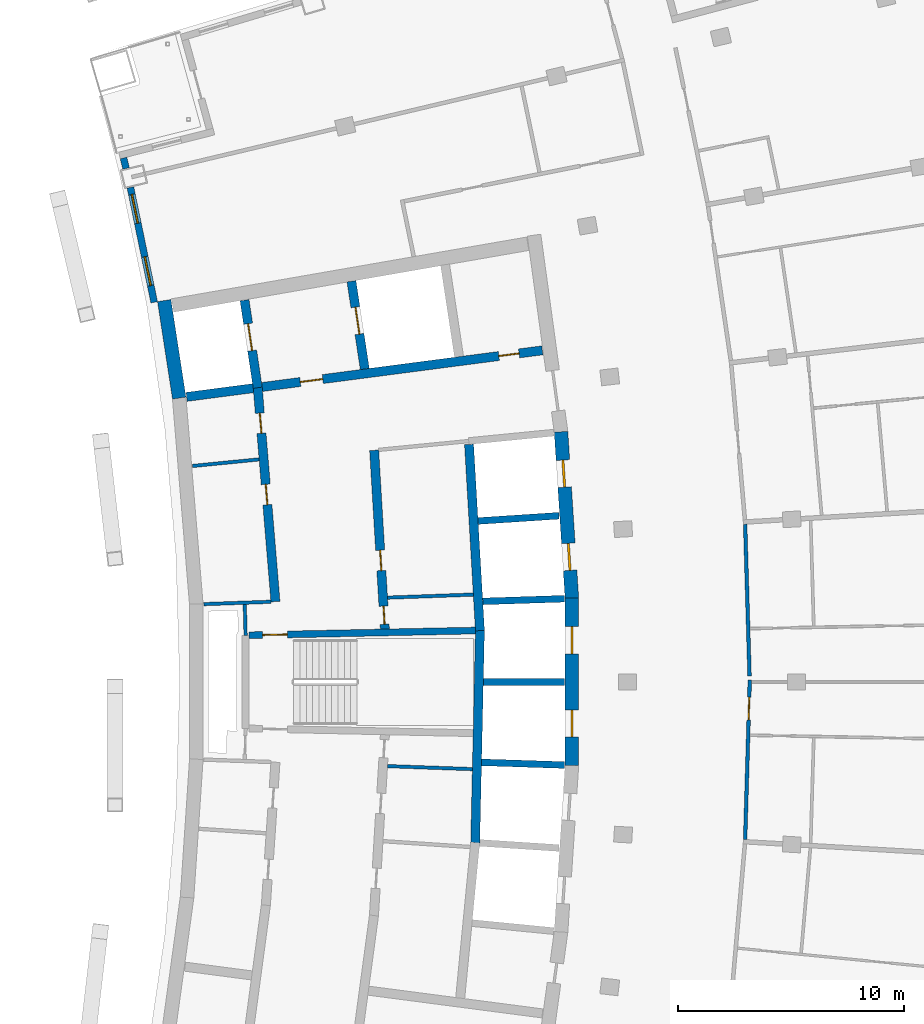
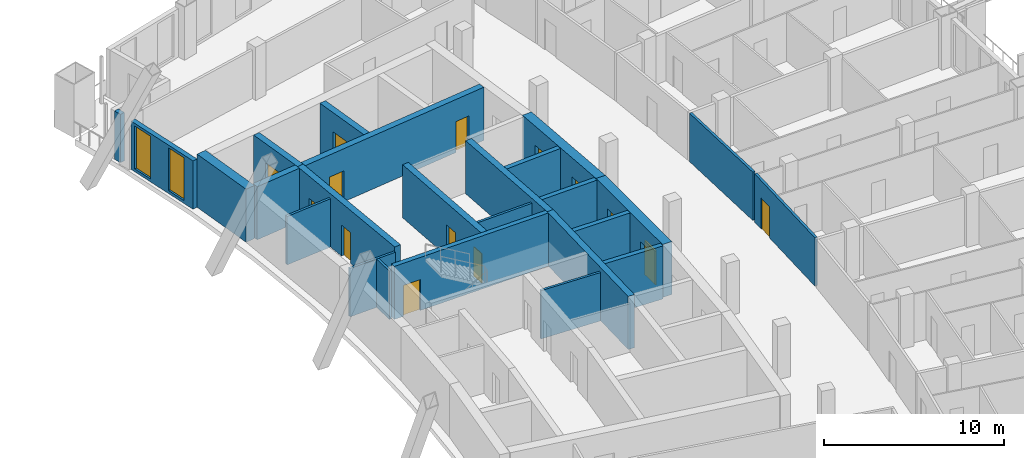
# One storey, part 12 of 19: 25 walls, 14 doors, 2 windows, 16 openings.
"""IFC4 building model written with IfcOpenShell, lengths in metres."""

from ifc_helpers import new_model, si_unit, direction, frame, frame_2d, origin, place, context, subcontext, project, spatial, rectangle, extrude, material, layer, layer_set, type_object, element, fill, save


model = new_model("IFC4")

# Units and contexts
model_context = context("Model", 3, precision=1e-05, world=origin(), true_north=direction((0.0, 1.0)))
body_context = subcontext(model_context, "Body", "Model", "MODEL_VIEW")
ifc_project = project(units=[si_unit("LENGTHUNIT", "METRE"), si_unit("AREAUNIT", "SQUARE_METRE"), si_unit("VOLUMEUNIT", "CUBIC_METRE"), si_unit("PLANEANGLEUNIT", "RADIAN"), si_unit("MASSUNIT", "GRAM", prefix="KILO")], contexts=[model_context])

# Site, building, storey
site_placement = place(None, origin())
site = spatial("IfcSite", under=ifc_project, at=site_placement, CompositionType="ELEMENT")
building_placement = place(site_placement, origin())
building = spatial("IfcBuilding", under=site, at=building_placement, Name="Alderwake Tower", CompositionType="ELEMENT")
storey_placement = place(building_placement, frame((0.0, 0.0, 200.0)))
storey = spatial("IfcBuildingStorey", under=building, at=storey_placement, Name="L49", CompositionType="ELEMENT", Elevation=200.0)

# Walls
ifc_material_1 = material(Name="Gypsum shaft wall system, rated")
ifc_layer_1 = layer(ifc_material_1, 0.14990234375)
ifc_layer_set_1 = layer_set([ifc_layer_1], Name="Core riser partition 150")
wall_type_1 = type_object("IfcWallType", Name="Core riser partition 150", PredefinedType="PARTITIONING", material=ifc_layer_set_1)
wall_1_placement = place(storey_placement, frame((25.1904296875, 57.276611328125, 0.0), z_axis=(0.0, 0.0, 1.0), x_axis=(0.99937350076, -0.035392173974, 0.0)))
element("IfcWall", 1, at=wall_1_placement, inside=storey, type_object=wall_type_1, Name="CW/L49/PR-37_+86", PredefinedType="PARTITIONING", context=body_context, shape_type="SweptSolid", body=[
    extrude(rectangle(XDim=3.752685546875, YDim=0.14990234375, at=frame_2d((1.87646484375, 0.0))), origin(), (0.0, 0.0, 1.0), 3.280029296875),
])
wall_2_placement = place(storey_placement, frame((25.191162109375, 64.723388671875, 0.0), z_axis=(0.0, 0.0, 1.0), x_axis=(0.999373627871, 0.035388584556, 0.0)))
element("IfcWall", 2, at=wall_2_placement, inside=storey, type_object=wall_type_1, Name="CW/L49/PR+37_+86", PredefinedType="PARTITIONING", context=body_context, shape_type="SweptSolid", body=[
    extrude(rectangle(XDim=3.79443359375, YDim=0.14990234375, at=frame_2d((1.897216796875, 0.0))), origin(), (0.0, 0.0, 1.0), 3.280029296875),
])
ifc_material_2 = material(Name="Gypsum shaft wall system, rated")
ifc_layer_2 = layer(ifc_material_2, 0.14990234375)
ifc_layer_set_2 = layer_set([ifc_layer_2], Name="Core room partition 150")
wall_type_2 = type_object("IfcWallType", Name="Core room partition 150", PredefinedType="PARTITIONING", material=ifc_layer_set_2)
wall_3_placement = place(storey_placement, frame((18.918701171875, 63.05517578125, 0.0), z_axis=(0.0, 0.0, 1.0), x_axis=(-0.027791791559, 0.99961373356, 0.0)))
element("IfcWall", 3, at=wall_3_placement, inside=storey, type_object=wall_type_2, Name="CW/L49/PA+24_+22", PredefinedType="PARTITIONING", context=body_context, shape_type="SweptSolid", body=[
    extrude(rectangle(XDim=1.370361328125, YDim=0.14990234375, at=frame_2d((0.68505859375, 0.0))), origin(), (0.0, 0.0, 1.0), 3.280029296875),
])
wall_4_placement = place(storey_placement, frame((17.0693359375, 64.43603515625, 0.0), z_axis=(0.0, 0.0, 1.0), x_axis=(0.999374945052, 0.03535136775, 0.0)))
element("IfcWall", 4, at=wall_4_placement, inside=storey, type_object=wall_type_2, Name="CW/L49/PR+37_+0", PredefinedType="PARTITIONING", context=body_context, shape_type="SweptSolid", body=[
    extrude(rectangle(XDim=2.9697265625, YDim=0.14990234375, at=frame_2d((1.48486328125, 0.0))), origin(), (0.0, 0.0, 1.0), 3.280029296875),
])
wall_5_placement = place(storey_placement, frame((16.563232421875, 70.5419921875, 0.0), z_axis=(0.0, 0.0, 1.0), x_axis=(0.995152224128, 0.098346585166, 0.0)))
element("IfcWall", 5, at=wall_5_placement, inside=storey, type_object=wall_type_2, Name="CW/L49/PR+103_+0", PredefinedType="PARTITIONING", context=body_context, shape_type="SweptSolid", body=[
    extrude(rectangle(XDim=2.966552734375, YDim=0.14990234375, at=frame_2d((1.4833984375, 0.0))), origin(), (0.0, 0.0, 1.0), 3.280029296875),
])
ifc_material_3 = material(Name="Concrete C70/85", Category="concrete")
ifc_layer_3 = layer(ifc_material_3, 0.60009765625)
ifc_layer_set_3 = layer_set([ifc_layer_3], Name="Core wall outer 600 C70-85")
wall_type_3 = type_object("IfcWallType", Name="Core wall outer 600 C70-85", PredefinedType="SHEAR", material=ifc_layer_set_3)
wall_6_placement = place(storey_placement, frame((15.984130859375, 73.54296875, 0.0), z_axis=(0.0, 0.0, 1.0), x_axis=(-0.151922578304, 0.988392396876, 0.0)))
element("IfcWall", 6, at=wall_6_placement, inside=storey, type_object=wall_type_3, Name="Core wall CW.034", PredefinedType="SHEAR", context=body_context, shape_type="SweptSolid", body=[
    extrude(rectangle(XDim=4.361328125, YDim=0.60009765625, at=frame_2d((2.1806640625, 0.0))), origin(), (0.0, 0.0, 1.0), 3.60009765625),
])

# Wall, openings, doors
wall_7_placement = place(storey_placement, frame((33.340087890625, 57.30322265625, 0.0), z_axis=(0.0, 0.0, 1.0), x_axis=(0.0, 1.0, 0.0)))
wall_7 = element("IfcWall", 7, at=wall_7_placement, inside=storey, type_object=wall_type_3, Name="Core wall CW.018", PredefinedType="SHEAR", context=body_context, shape_type="SweptSolid", body=[
    extrude(rectangle(XDim=7.3935546875, YDim=0.60009765625, at=frame_2d((3.69677734375, 0.0))), origin(), (0.0, 0.0, 1.0), 3.60009765625),
])
opening_1_placement = place(wall_7_placement, frame((1.25341796875, 0.0, 0.0)))
opening_1 = element("IfcOpeningElement", 8, at=opening_1_placement, cuts=wall_7, Name="Opening LD-HP3", PredefinedType="OPENING", context=body_context, shape_type="SweptSolid", body=[
    extrude(rectangle(XDim=1.199951171875, YDim=2.300048828125, at=frame_2d((0.60009765625, 1.14990234375))), frame((0.0, 0.31005859375, 0.0), z_axis=(0.0, -1.0, 0.0), x_axis=(1.0, 0.0, 0.0)), (0.0, 0.0, 1.0), 0.6201171875),
])
opening_2_placement = place(wall_7_placement, frame((4.940185546875, 0.0, 0.0)))
opening_2 = element("IfcOpeningElement", 9, at=opening_2_placement, cuts=wall_7, Name="Opening LD-HP4", PredefinedType="OPENING", context=body_context, shape_type="SweptSolid", body=[
    extrude(rectangle(XDim=1.199951171875, YDim=2.300048828125, at=frame_2d((0.60009765625, 1.14990234375))), frame((0.0, 0.31005859375, 0.0), z_axis=(0.0, -1.0, 0.0), x_axis=(1.0, 0.0, 0.0)), (0.0, 0.0, 1.0), 0.6201171875),
])
ifc_material_4 = material(Name="Stainless steel sliding leaf", Category="steel")
door_type_1 = type_object("IfcDoorType", Name="Lift landing door 1200", OperationType="SLIDING_TO_LEFT", PredefinedType="DOOR", material=ifc_material_4)
door_1_placement = place(opening_1_placement, origin())
door_1 = element("IfcDoor", 10, at=door_1_placement, inside=storey, type_object=door_type_1, Name="Lift landing door HP3", OperationType="SLIDING_TO_LEFT", OverallHeight=2.300048828125, OverallWidth=1.199951171875, PredefinedType="DOOR", context=body_context, shape_type="SweptSolid", body=[
    extrude(rectangle(XDim=1.199951171875, YDim=2.300048828125, at=frame_2d((0.60009765625, 1.14990234375))), frame((0.0, 0.050048828125, 0.0), z_axis=(0.0, -1.0, 0.0), x_axis=(1.0, 0.0, 0.0)), (0.0, 0.0, 1.0), 0.10009765625),
])
fill(opening_1, door_1)
door_2_placement = place(opening_2_placement, origin())
door_2 = element("IfcDoor", 11, at=door_2_placement, inside=storey, type_object=door_type_1, Name="Lift landing door HP4", OperationType="SLIDING_TO_LEFT", OverallHeight=2.300048828125, OverallWidth=1.199951171875, PredefinedType="DOOR", context=body_context, shape_type="SweptSolid", body=[
    extrude(rectangle(XDim=1.199951171875, YDim=2.300048828125, at=frame_2d((0.60009765625, 1.14990234375))), frame((0.0, 0.050048828125, 0.0), z_axis=(0.0, -1.0, 0.0), x_axis=(1.0, 0.0, 0.0)), (0.0, 0.0, 1.0), 0.10009765625),
])
fill(opening_2, door_2)

wall_8_placement = place(storey_placement, frame((33.3408203125, 64.67626953125, 0.0), z_axis=(0.0, 0.0, 1.0), x_axis=(-0.065013379938, 0.997884392317, 0.0)))
wall_8 = element("IfcWall", 12, at=wall_8_placement, inside=storey, type_object=wall_type_3, Name="Core wall CW.015", PredefinedType="SHEAR", context=body_context, shape_type="SweptSolid", body=[
    extrude(rectangle(XDim=7.39404296875, YDim=0.60009765625, at=frame_2d((3.697021484375, 0.0))), origin(), (0.0, 0.0, 1.0), 3.60009765625),
])
opening_3_placement = place(wall_8_placement, frame((1.253173828125, 0.0, 0.0)))
opening_3 = element("IfcOpeningElement", 13, at=opening_3_placement, cuts=wall_8, Name="Opening LD-HP5", PredefinedType="OPENING", context=body_context, shape_type="SweptSolid", body=[
    extrude(rectangle(XDim=1.199951171875, YDim=2.300048828125, at=frame_2d((0.60009765625, 1.14990234375))), frame((0.0, 0.31005859375, 0.0), z_axis=(0.0, -1.0, 0.0), x_axis=(1.0, 0.0, 0.0)), (0.0, 0.0, 1.0), 0.6201171875),
])
opening_4_placement = place(wall_8_placement, frame((4.940185546875, 0.0, 0.0)))
opening_4 = element("IfcOpeningElement", 14, at=opening_4_placement, cuts=wall_8, Name="Opening LD-HP6", PredefinedType="OPENING", context=body_context, shape_type="SweptSolid", body=[
    extrude(rectangle(XDim=1.199951171875, YDim=2.300048828125, at=frame_2d((0.60009765625, 1.14990234375))), frame((0.0, 0.31005859375, 0.0), z_axis=(0.0, -1.0, 0.0), x_axis=(1.0, 0.0, 0.0)), (0.0, 0.0, 1.0), 0.6201171875),
])
door_3_placement = place(opening_3_placement, origin())
door_3 = element("IfcDoor", 15, at=door_3_placement, inside=storey, type_object=door_type_1, Name="Lift landing door HP5", OperationType="SLIDING_TO_LEFT", OverallHeight=2.300048828125, OverallWidth=1.199951171875, PredefinedType="DOOR", context=body_context, shape_type="SweptSolid", body=[
    extrude(rectangle(XDim=1.199951171875, YDim=2.300048828125, at=frame_2d((0.60009765625, 1.14990234375))), frame((0.0, 0.050048828125, 0.0), z_axis=(0.0, -1.0, 0.0), x_axis=(1.0, 0.0, 0.0)), (0.0, 0.0, 1.0), 0.10009765625),
])
fill(opening_3, door_3)
door_4_placement = place(opening_4_placement, origin())
door_4 = element("IfcDoor", 16, at=door_4_placement, inside=storey, type_object=door_type_1, Name="Lift landing door HP6", OperationType="SLIDING_TO_LEFT", OverallHeight=2.300048828125, OverallWidth=1.199951171875, PredefinedType="DOOR", context=body_context, shape_type="SweptSolid", body=[
    extrude(rectangle(XDim=1.199951171875, YDim=2.300048828125, at=frame_2d((0.60009765625, 1.14990234375))), frame((0.0, 0.050048828125, 0.0), z_axis=(0.0, -1.0, 0.0), x_axis=(1.0, 0.0, 0.0)), (0.0, 0.0, 1.0), 0.10009765625),
])
fill(opening_4, door_4)

# Walls
ifc_material_5 = material(Name="Concrete C70/85", Category="concrete")
ifc_layer_4 = layer(ifc_material_5, 0.300048828125)
ifc_layer_set_4 = layer_set([ifc_layer_4], Name="Core wall shaft 300 C70-85")
wall_type_4 = type_object("IfcWallType", Name="Core wall shaft 300 C70-85", PredefinedType="SHEAR", material=ifc_layer_set_4)
wall_9_placement = place(storey_placement, frame((29.347412109375, 57.443603515625, 0.0), z_axis=(0.0, 0.0, 1.0), x_axis=(0.99946918462, -0.032578351638, 0.0)))
element("IfcWall", 17, at=wall_9_placement, inside=storey, type_object=wall_type_4, Name="Core wall CW.075", PredefinedType="SHEAR", context=body_context, shape_type="SweptSolid", body=[
    extrude(rectangle(XDim=3.66455078125, YDim=0.300048828125, at=frame_2d((1.832275390625, 0.0))), origin(), (0.0, 0.0, 1.0), 3.60009765625),
])
wall_10_placement = place(storey_placement, frame((29.426025390625, 61.0, 0.0), z_axis=(0.0, 0.0, 1.0), x_axis=(1.0, 0.0, 0.0)))
element("IfcWall", 18, at=wall_10_placement, inside=storey, type_object=wall_type_4, Name="Core wall CW.048", PredefinedType="SHEAR", context=body_context, shape_type="SweptSolid", body=[
    extrude(rectangle(XDim=3.583984375, YDim=0.300048828125, at=frame_2d((1.7919921875, 0.0))), origin(), (0.0, 0.0, 1.0), 3.60009765625),
])
wall_11_placement = place(storey_placement, frame((29.401611328125, 64.558349609375, 0.0), z_axis=(0.0, 0.0, 1.0), x_axis=(0.999470865009, 0.032526758191, 0.0)))
element("IfcWall", 19, at=wall_11_placement, inside=storey, type_object=wall_type_4, Name="Core wall CW.058", PredefinedType="SHEAR", context=body_context, shape_type="SweptSolid", body=[
    extrude(rectangle(XDim=3.6103515625, YDim=0.300048828125, at=frame_2d((1.80517578125, 0.0))), origin(), (0.0, 0.0, 1.0), 3.60009765625),
])
wall_12_placement = place(storey_placement, frame((29.193603515625, 68.110595703125, 0.0), z_axis=(0.0, 0.0, 1.0), x_axis=(0.997887597979, 0.064964157805, 0.0)))
element("IfcWall", 20, at=wall_12_placement, inside=storey, type_object=wall_type_4, Name="Core wall CW.061", PredefinedType="SHEAR", context=body_context, shape_type="SweptSolid", body=[
    extrude(rectangle(XDim=3.585205078125, YDim=0.300048828125, at=frame_2d((1.79248046875, 0.0))), origin(), (0.0, 0.0, 1.0), 3.60009765625),
])

# Wall, openings, doors
ifc_material_6 = material(Name="Concrete C70/85", Category="concrete")
ifc_layer_5 = layer(ifc_material_6, 0.39990234375)
ifc_layer_set_5 = layer_set([ifc_layer_5], Name="Core wall spine 400 C70-85")
wall_type_5 = type_object("IfcWallType", Name="Core wall spine 400 C70-85", PredefinedType="SHEAR", material=ifc_layer_set_5)
wall_13_placement = place(storey_placement, frame((19.452392578125, 74.014892578125, 0.0), z_axis=(0.0, 0.0, 1.0), x_axis=(0.082628585297, -0.996580411654, 0.0)))
wall_13 = element("IfcWall", 21, at=wall_13_placement, inside=storey, type_object=wall_type_5, Name="Core wall CW.031", PredefinedType="SHEAR", context=body_context, shape_type="SweptSolid", body=[
    extrude(rectangle(XDim=9.499267578125, YDim=0.39990234375, at=frame_2d((4.74951171875, 0.0))), origin(), (0.0, 0.0, 1.0), 3.60009765625),
])
opening_5_placement = place(wall_13_placement, frame((4.30322265625, 0.0, 0.0)))
opening_5 = element("IfcOpeningElement", 22, at=opening_5_placement, cuts=wall_13, Name="Opening C052", PredefinedType="OPENING", context=body_context, shape_type="SweptSolid", body=[
    extrude(rectangle(XDim=0.89990234375, YDim=2.10009765625, at=frame_2d((0.449951171875, 1.050048828125))), frame((0.0, 0.2099609375, 0.0), z_axis=(0.0, -1.0, 0.0), x_axis=(1.0, 0.0, 0.0)), (0.0, 0.0, 1.0), 0.419921875),
])
opening_6_placement = place(wall_13_placement, frame((1.138671875, 0.0, 0.0)))
opening_6 = element("IfcOpeningElement", 23, at=opening_6_placement, cuts=wall_13, Name="Opening C056", PredefinedType="OPENING", context=body_context, shape_type="SweptSolid", body=[
    extrude(rectangle(XDim=0.89990234375, YDim=2.10009765625, at=frame_2d((0.449951171875, 1.050048828125))), frame((0.0, 0.2099609375, 0.0), z_axis=(0.0, -1.0, 0.0), x_axis=(1.0, 0.0, 0.0)), (0.0, 0.0, 1.0), 0.419921875),
])
ifc_material_7 = material(Name="Painted steel leaf", Category="steel")
door_type_2 = type_object("IfcDoorType", Name="Core room door 900", OperationType="SINGLE_SWING_LEFT", PredefinedType="DOOR", material=ifc_material_7)
door_5_placement = place(opening_5_placement, origin())
door_5 = element("IfcDoor", 24, at=door_5_placement, inside=storey, type_object=door_type_2, Name="Room door", OperationType="SINGLE_SWING_LEFT", OverallHeight=2.10009765625, OverallWidth=0.89990234375, PredefinedType="DOOR", context=body_context, shape_type="SweptSolid", body=[
    extrude(rectangle(XDim=0.89990234375, YDim=2.10009765625, at=frame_2d((0.449951171875, 1.050048828125))), frame((0.0, 0.02490234375, 0.0), z_axis=(0.0, -1.0, 0.0), x_axis=(1.0, 0.0, 0.0)), (0.0, 0.0, 1.0), 0.050048828125),
])
fill(opening_5, door_5)
door_6_placement = place(opening_6_placement, origin())
door_6 = element("IfcDoor", 25, at=door_6_placement, inside=storey, type_object=door_type_2, Name="Room door", OperationType="SINGLE_SWING_RIGHT", OverallHeight=2.10009765625, OverallWidth=0.89990234375, PredefinedType="DOOR", context=body_context, shape_type="SweptSolid", body=[
    extrude(rectangle(XDim=0.89990234375, YDim=2.10009765625, at=frame_2d((0.449951171875, 1.050048828125))), frame((0.0, 0.02490234375, 0.0), z_axis=(0.0, -1.0, 0.0), x_axis=(1.0, 0.0, 0.0)), (0.0, 0.0, 1.0), 0.050048828125),
])
fill(opening_6, door_6)

# Wall, opening, door
wall_14_placement = place(storey_placement, frame((19.4541015625, 74.00048828125, 0.0), z_axis=(0.0, 0.0, 1.0), x_axis=(-0.148977743105, 0.98884054936, 0.0)))
wall_14 = element("IfcWall", 26, at=wall_14_placement, inside=storey, type_object=wall_type_5, Name="Core wall CW.030", PredefinedType="SHEAR", context=body_context, shape_type="SweptSolid", body=[
    extrude(rectangle(XDim=3.9150390625, YDim=0.39990234375, at=frame_2d((1.95751953125, 0.0))), origin(), (0.0, 0.0, 1.0), 3.60009765625),
])
opening_7_placement = place(wall_14_placement, frame((1.6611328125, 0.0, 0.0)))
opening_7 = element("IfcOpeningElement", 27, at=opening_7_placement, cuts=wall_14, Name="Opening LD-FF1", PredefinedType="OPENING", context=body_context, shape_type="SweptSolid", body=[
    extrude(rectangle(XDim=1.199951171875, YDim=2.300048828125, at=frame_2d((0.60009765625, 1.14990234375))), frame((0.0, 0.2099609375, 0.0), z_axis=(0.0, -1.0, 0.0), x_axis=(1.0, 0.0, 0.0)), (0.0, 0.0, 1.0), 0.419921875),
])
door_7_placement = place(opening_7_placement, origin())
door_7 = element("IfcDoor", 28, at=door_7_placement, inside=storey, type_object=door_type_1, Name="Lift landing door FF1", OperationType="SLIDING_TO_LEFT", OverallHeight=2.300048828125, OverallWidth=1.199951171875, PredefinedType="DOOR", context=body_context, shape_type="SweptSolid", body=[
    extrude(rectangle(XDim=1.199951171875, YDim=2.300048828125, at=frame_2d((0.60009765625, 1.14990234375))), frame((0.0, 0.02490234375, 0.0), z_axis=(0.0, -1.0, 0.0), x_axis=(1.0, 0.0, 0.0)), (0.0, 0.0, 1.0), 0.050048828125),
])
fill(opening_7, door_7)

# Wall, openings, doors
wall_15_placement = place(storey_placement, frame((25.073974609375, 63.335693359375, 0.0), z_axis=(0.0, 0.0, 1.0), x_axis=(-0.059848641072, 0.998207463487, 0.0)))
wall_15 = element("IfcWall", 29, at=wall_15_placement, inside=storey, type_object=wall_type_5, Name="Core wall CW.045", PredefinedType="SHEAR", context=body_context, shape_type="SweptSolid", body=[
    extrude(rectangle(XDim=7.913818359375, YDim=0.39990234375, at=frame_2d((3.95703125, 0.0))), origin(), (0.0, 0.0, 1.0), 3.60009765625),
])
opening_8_placement = place(wall_15_placement, frame((0.216064453125, 0.0, 0.0)))
opening_8 = element("IfcOpeningElement", 30, at=opening_8_placement, cuts=wall_15, Name="Opening C005", PredefinedType="OPENING", context=body_context, shape_type="SweptSolid", body=[
    extrude(rectangle(XDim=0.800048828125, YDim=2.0, at=frame_2d((0.39990234375, 1.0))), frame((0.0, 0.2099609375, 0.0), z_axis=(0.0, -1.0, 0.0), x_axis=(1.0, 0.0, 0.0)), (0.0, 0.0, 1.0), 0.419921875),
])
opening_9_placement = place(wall_15_placement, frame((2.590087890625, 0.0, 0.0)))
opening_9 = element("IfcOpeningElement", 31, at=opening_9_placement, cuts=wall_15, Name="Opening C057", PredefinedType="OPENING", context=body_context, shape_type="SweptSolid", body=[
    extrude(rectangle(XDim=0.89990234375, YDim=2.10009765625, at=frame_2d((0.449951171875, 1.050048828125))), frame((0.0, 0.2099609375, 0.0), z_axis=(0.0, -1.0, 0.0), x_axis=(1.0, 0.0, 0.0)), (0.0, 0.0, 1.0), 0.419921875),
])
door_8_placement = place(opening_9_placement, origin())
door_8 = element("IfcDoor", 32, at=door_8_placement, inside=storey, type_object=door_type_2, Name="Room door", OperationType="SINGLE_SWING_LEFT", OverallHeight=2.10009765625, OverallWidth=0.89990234375, PredefinedType="DOOR", context=body_context, shape_type="SweptSolid", body=[
    extrude(rectangle(XDim=0.89990234375, YDim=2.10009765625, at=frame_2d((0.449951171875, 1.050048828125))), frame((0.0, 0.02490234375, 0.0), z_axis=(0.0, -1.0, 0.0), x_axis=(1.0, 0.0, 0.0)), (0.0, 0.0, 1.0), 0.050048828125),
])
fill(opening_9, door_8)
ifc_material_8 = material(Name="Painted steel leaf, rated", Category="steel")
door_type_3 = type_object("IfcDoorType", Name="Riser access door 800", OperationType="SINGLE_SWING_LEFT", PredefinedType="DOOR", material=ifc_material_8)
door_9_placement = place(opening_8_placement, origin())
door_9 = element("IfcDoor", 33, at=door_9_placement, inside=storey, type_object=door_type_3, Name="Riser access door", OperationType="SINGLE_SWING_LEFT", OverallHeight=2.0, OverallWidth=0.800048828125, PredefinedType="DOOR", context=body_context, shape_type="SweptSolid", body=[
    extrude(rectangle(XDim=0.800048828125, YDim=2.0, at=frame_2d((0.39990234375, 1.0))), frame((0.0, 0.02490234375, 0.0), z_axis=(0.0, -1.0, 0.0), x_axis=(1.0, 0.0, 0.0)), (0.0, 0.0, 1.0), 0.050048828125),
])
fill(opening_8, door_9)

# Wall, opening, door
wall_16_placement = place(storey_placement, frame((24.186279296875, 74.82861328125, 0.0), z_axis=(0.0, 0.0, 1.0), x_axis=(-0.150092938275, 0.988671891924, 0.0)))
wall_16 = element("IfcWall", 34, at=wall_16_placement, inside=storey, type_object=wall_type_5, Name="Core wall CW.044", PredefinedType="SHEAR", context=body_context, shape_type="SweptSolid", body=[
    extrude(rectangle(XDim=3.92333984375, YDim=0.39990234375, at=frame_2d((1.961669921875, 0.0))), origin(), (0.0, 0.0, 1.0), 3.60009765625),
])
opening_10_placement = place(wall_16_placement, frame((1.561767578125, 0.0, 0.0)))
opening_10 = element("IfcOpeningElement", 35, at=opening_10_placement, cuts=wall_16, Name="Opening LD-FF2", PredefinedType="OPENING", context=body_context, shape_type="SweptSolid", body=[
    extrude(rectangle(XDim=1.199951171875, YDim=2.300048828125, at=frame_2d((0.60009765625, 1.14990234375))), frame((0.0, 0.2099609375, 0.0), z_axis=(0.0, -1.0, 0.0), x_axis=(1.0, 0.0, 0.0)), (0.0, 0.0, 1.0), 0.419921875),
])
door_10_placement = place(opening_10_placement, origin())
door_10 = element("IfcDoor", 36, at=door_10_placement, inside=storey, type_object=door_type_1, Name="Lift landing door FF2", OperationType="SLIDING_TO_LEFT", OverallHeight=2.300048828125, OverallWidth=1.199951171875, PredefinedType="DOOR", context=body_context, shape_type="SweptSolid", body=[
    extrude(rectangle(XDim=1.199951171875, YDim=2.300048828125, at=frame_2d((0.60009765625, 1.14990234375))), frame((0.0, 0.02490234375, 0.0), z_axis=(0.0, -1.0, 0.0), x_axis=(1.0, 0.0, 0.0)), (0.0, 0.0, 1.0), 0.050048828125),
])
fill(opening_10, door_10)

# Walls
wall_17_placement = place(storey_placement, frame((29.06884765625, 53.8896484375, 0.0), z_axis=(0.0, 0.0, 1.0), x_axis=(0.022115722908, 0.99975541749, 0.0)))
element("IfcWall", 37, at=wall_17_placement, inside=storey, type_object=wall_type_5, Name="Core wall CW.008", PredefinedType="SHEAR", context=body_context, shape_type="SweptSolid", body=[
    extrude(rectangle(XDim=9.394287109375, YDim=0.39990234375, at=frame_2d((4.697265625, 0.0))), origin(), (0.0, 0.0, 1.0), 3.60009765625),
])
wall_18_placement = place(storey_placement, frame((29.27685546875, 63.2646484375, 0.0), z_axis=(0.0, 0.0, 1.0), x_axis=(-0.0584546922, 0.998290062537, 0.0)))
element("IfcWall", 38, at=wall_18_placement, inside=storey, type_object=wall_type_5, Name="Core wall CW.002", PredefinedType="SHEAR", context=body_context, shape_type="SweptSolid", body=[
    extrude(rectangle(XDim=8.24462890625, YDim=0.39990234375, at=frame_2d((4.122314453125, 0.0))), origin(), (0.0, 0.0, 1.0), 3.60009765625),
])
wall_19_placement = place(storey_placement, frame((16.31005859375, 73.5966796875, 0.0), z_axis=(0.0, 0.0, 1.0), x_axis=(0.99155863891, 0.12965903595, 0.0)))
element("IfcWall", 39, at=wall_19_placement, inside=storey, type_object=wall_type_5, Name="Core wall CW.051", PredefinedType="SHEAR", context=body_context, shape_type="SweptSolid", body=[
    extrude(rectangle(XDim=2.969482421875, YDim=0.39990234375, at=frame_2d((1.48486328125, 0.0))), origin(), (0.0, 0.0, 1.0), 3.60009765625),
])

# Wall, openings, doors
wall_20_placement = place(storey_placement, frame((32.032958984375, 75.653076171875, 0.0), z_axis=(0.0, 0.0, 1.0), x_axis=(-0.991554886316, -0.129687730428, 0.0)))
wall_20 = element("IfcWall", 40, at=wall_20_placement, inside=storey, type_object=wall_type_5, Name="Core wall CW.052", PredefinedType="SHEAR", context=body_context, shape_type="SweptSolid", body=[
    extrude(rectangle(XDim=12.48681640625, YDim=0.39990234375, at=frame_2d((6.243408203125, 0.0))), origin(), (0.0, 0.0, 1.0), 3.60009765625),
])
opening_11_placement = place(wall_20_placement, frame((9.787109375, 0.0, 0.0)))
opening_11 = element("IfcOpeningElement", 41, at=opening_11_placement, cuts=wall_20, Name="Opening C002", PredefinedType="OPENING", context=body_context, shape_type="SweptSolid", body=[
    extrude(rectangle(XDim=1.0, YDim=2.10009765625, at=frame_2d((0.5, 1.050048828125))), frame((0.0, 0.2099609375, 0.0), z_axis=(0.0, -1.0, 0.0), x_axis=(1.0, 0.0, 0.0)), (0.0, 0.0, 1.0), 0.419921875),
])
opening_12_placement = place(wall_20_placement, frame((1.037109375, 0.0, 0.0)))
opening_12 = element("IfcOpeningElement", 42, at=opening_12_placement, cuts=wall_20, Name="Opening C020", PredefinedType="OPENING", context=body_context, shape_type="SweptSolid", body=[
    extrude(rectangle(XDim=0.89990234375, YDim=2.10009765625, at=frame_2d((0.449951171875, 1.050048828125))), frame((0.0, 0.2099609375, 0.0), z_axis=(0.0, -1.0, 0.0), x_axis=(1.0, 0.0, 0.0)), (0.0, 0.0, 1.0), 0.419921875),
])
door_11_placement = place(opening_12_placement, origin())
door_11 = element("IfcDoor", 43, at=door_11_placement, inside=storey, type_object=door_type_2, Name="Room door", OperationType="SINGLE_SWING_LEFT", OverallHeight=2.10009765625, OverallWidth=0.89990234375, PredefinedType="DOOR", context=body_context, shape_type="SweptSolid", body=[
    extrude(rectangle(XDim=0.89990234375, YDim=2.10009765625, at=frame_2d((0.449951171875, 1.050048828125))), frame((0.0, 0.02490234375, 0.0), z_axis=(0.0, -1.0, 0.0), x_axis=(1.0, 0.0, 0.0)), (0.0, 0.0, 1.0), 0.050048828125),
])
fill(opening_12, door_11)
ifc_material_9 = material(Name="Steel-framed fire door leaf", Category="steel")
door_type_4 = type_object("IfcDoorType", Name="Firefighting lobby door 1000 fire-rated", OperationType="SINGLE_SWING_LEFT", PredefinedType="DOOR", material=ifc_material_9)
door_12_placement = place(opening_11_placement, origin())
door_12 = element("IfcDoor", 44, at=door_12_placement, inside=storey, type_object=door_type_4, Name="Firefighting lobby door", OperationType="SINGLE_SWING_RIGHT", OverallHeight=2.10009765625, OverallWidth=1.0, PredefinedType="DOOR", context=body_context, shape_type="SweptSolid", body=[
    extrude(rectangle(XDim=1.0, YDim=2.10009765625, at=frame_2d((0.5, 1.050048828125))), frame((0.0, 0.02490234375, 0.0), z_axis=(0.0, -1.0, 0.0), x_axis=(1.0, 0.0, 0.0)), (0.0, 0.0, 1.0), 0.050048828125),
])
fill(opening_11, door_12)

# Wall, opening, door
ifc_material_10 = material(Name="Concrete C70/85", Category="concrete")
ifc_layer_6 = layer(ifc_material_10, 0.300048828125)
ifc_layer_set_6 = layer_set([ifc_layer_6], Name="Core wall stair enclosure 300 C70-85")
wall_type_6 = type_object("IfcWallType", Name="Core wall stair enclosure 300 C70-85", PredefinedType="SHEAR", material=ifc_layer_set_6)
wall_21_placement = place(storey_placement, frame((19.068603515625, 63.060791015625, 0.0), z_axis=(0.0, 0.0, 1.0), x_axis=(0.999783553773, 0.02080494185, 0.0)))
wall_21 = element("IfcWall", 45, at=wall_21_placement, inside=storey, type_object=wall_type_6, Name="Core wall CW.057", PredefinedType="SHEAR", context=body_context, shape_type="SweptSolid", body=[
    extrude(rectangle(XDim=10.009765625, YDim=0.300048828125, at=frame_2d((5.0048828125, 0.0))), origin(), (0.0, 0.0, 1.0), 3.60009765625),
])
opening_13_placement = place(wall_21_placement, frame((0.60009765625, 0.0, 0.0)))
opening_13 = element("IfcOpeningElement", 46, at=opening_13_placement, cuts=wall_21, Name="Opening C064", PredefinedType="OPENING", context=body_context, shape_type="SweptSolid", body=[
    extrude(rectangle(XDim=1.10009765625, YDim=2.10009765625, at=frame_2d((0.550048828125, 1.050048828125))), frame((0.0, 0.159912109375, 0.0), z_axis=(0.0, -1.0, 0.0), x_axis=(1.0, 0.0, 0.0)), (0.0, 0.0, 1.0), 0.320068359375),
])
ifc_material_11 = material(Name="Steel-framed fire door leaf", Category="steel")
door_type_5 = type_object("IfcDoorType", Name="Core stair door 1100 fire-rated", OperationType="SINGLE_SWING_LEFT", PredefinedType="DOOR", material=ifc_material_11)
door_13_placement = place(opening_13_placement, origin())
door_13 = element("IfcDoor", 47, at=door_13_placement, inside=storey, type_object=door_type_5, Name="Stair door", OperationType="SINGLE_SWING_RIGHT", OverallHeight=2.10009765625, OverallWidth=1.10009765625, PredefinedType="DOOR", context=body_context, shape_type="SweptSolid", body=[
    extrude(rectangle(XDim=1.10009765625, YDim=2.10009765625, at=frame_2d((0.550048828125, 1.050048828125))), frame((0.0, 0.02490234375, 0.0), z_axis=(0.0, -1.0, 0.0), x_axis=(1.0, 0.0, 0.0)), (0.0, 0.0, 1.0), 0.050048828125),
])
fill(opening_13, door_13)

ifc_material_12 = material(Name="Gypsum board on metal studs, rated")
ifc_layer_7 = layer(ifc_material_12, 0.159912109375)
ifc_layer_set_7 = layer_set([ifc_layer_7], Name="Corridor wall 160")
wall_type_7 = type_object("IfcWallType", Name="Corridor wall 160", PredefinedType="PARTITIONING", material=ifc_layer_set_7)
wall_22_placement = place(storey_placement, frame((41.201416015625, 61.0791015625, 0.0), z_axis=(0.0, 0.0, 1.0), x_axis=(-0.028889070526, -0.999582623701, 0.0)))
wall_22 = element("IfcWall", 48, at=wall_22_placement, inside=storey, type_object=wall_type_7, Name="WL/L49/W25", PredefinedType="PARTITIONING", context=body_context, shape_type="SweptSolid", body=[
    extrude(rectangle(XDim=7.048095703125, YDim=0.159912109375, at=frame_2d((3.52392578125, 0.0))), origin(), (0.0, 0.0, 1.0), 3.280029296875),
])
opening_14_placement = place(wall_22_placement, frame((0.757080078125, 0.0, 0.0)))
opening_14 = element("IfcOpeningElement", 49, at=opening_14_placement, cuts=wall_22, Name="Opening R14-U05.2", PredefinedType="OPENING", context=body_context, shape_type="SweptSolid", body=[
    extrude(rectangle(XDim=1.0, YDim=2.10009765625, at=frame_2d((0.5, 1.050048828125))), frame((0.0, 0.08984375, 0.0), z_axis=(0.0, -1.0, 0.0), x_axis=(1.0, 0.0, 0.0)), (0.0, 0.0, 1.0), 0.179931640625),
])
ifc_material_13 = material(Name="Solid timber leaf in steel frame", Category="steel")
door_type_6 = type_object("IfcDoorType", Name="Flat entrance door 1000 fire-rated", OperationType="SINGLE_SWING_LEFT", PredefinedType="DOOR", material=ifc_material_13)
door_14_placement = place(opening_14_placement, origin())
door_14 = element("IfcDoor", 50, at=door_14_placement, inside=storey, type_object=door_type_6, Name="DR/L49/U05.2", OperationType="SINGLE_SWING_LEFT", OverallHeight=2.10009765625, OverallWidth=1.0, PredefinedType="DOOR", context=body_context, shape_type="SweptSolid", body=[
    extrude(rectangle(XDim=1.0, YDim=2.10009765625, at=frame_2d((0.5, 1.050048828125))), frame((0.0, 0.02490234375, 0.0), z_axis=(0.0, -1.0, 0.0), x_axis=(1.0, 0.0, 0.0)), (0.0, 0.0, 1.0), 0.050048828125),
])
fill(opening_14, door_14)

# Walls
wall_23_placement = place(storey_placement, frame((40.997802734375, 67.967041015625, 0.0), z_axis=(0.0, 0.0, 1.0), x_axis=(0.0288778927, -0.99958294669, 0.0)))
element("IfcWall", 51, at=wall_23_placement, inside=storey, type_object=wall_type_7, Name="WL/L49/W27", PredefinedType="PARTITIONING", context=body_context, shape_type="SweptSolid", body=[
    extrude(rectangle(XDim=6.7041015625, YDim=0.159912109375, at=frame_2d((3.35205078125, 0.0))), origin(), (0.0, 0.0, 1.0), 3.280029296875),
])
ifc_material_14 = material(Name="Precast concrete C50/60 spandrel panel", Category="concrete")
ifc_layer_8 = layer(ifc_material_14, 0.300048828125)
ifc_layer_set_8 = layer_set([ifc_layer_8], Name="External wall EW1 Precast concrete C50/60 spandrel")
wall_type_8 = type_object("IfcWallType", Name="External wall EW1 Precast concrete C50/60 spandrel", PredefinedType="SOLIDWALL", material=ifc_layer_set_8)
wall_24_placement = place(storey_placement, frame((13.523193359375, 84.1572265625, 0.0), z_axis=(0.0, 0.0, 1.0), x_axis=(0.238448700846, -0.971155094238, 0.0)))
element("IfcWall", 52, at=wall_24_placement, inside=storey, type_object=wall_type_8, Name="External wall 30", PredefinedType="SOLIDWALL", context=body_context, shape_type="SweptSolid", body=[
    extrude(rectangle(XDim=0.47802734375, YDim=0.300048828125, at=frame_2d((0.239013671875, 0.0))), origin(), (0.0, 0.0, 1.0), 3.280029296875),
])

# Wall, openings, windows
wall_25_placement = place(storey_placement, frame((13.826904296875, 82.8544921875, 0.0), z_axis=(0.0, 0.0, 1.0), x_axis=(0.202730149235, -0.979234643276, 0.0)))
wall_25 = element("IfcWall", 53, at=wall_25_placement, inside=storey, type_object=wall_type_8, Name="External wall 31", PredefinedType="SOLIDWALL", context=body_context, shape_type="SweptSolid", body=[
    extrude(rectangle(XDim=5.185546875, YDim=0.300048828125, at=frame_2d((2.5927734375, 0.0))), origin(), (0.0, 0.0, 1.0), 3.280029296875),
])
opening_15_placement = place(wall_25_placement, frame((0.316162109375, 0.0, 0.199951171875)))
opening_15 = element("IfcOpeningElement", 54, at=opening_15_placement, cuts=wall_25, Name="Opening W1", PredefinedType="OPENING", context=body_context, shape_type="SweptSolid", body=[
    extrude(rectangle(XDim=1.300048828125, YDim=2.89990234375, at=frame_2d((0.64990234375, 1.449951171875))), frame((0.0, 0.159912109375, 0.0), z_axis=(0.0, -1.0, 0.0), x_axis=(1.0, 0.0, 0.0)), (0.0, 0.0, 1.0), 0.320068359375),
])
opening_16_placement = place(wall_25_placement, frame((3.12890625, 0.0, 0.199951171875)))
opening_16 = element("IfcOpeningElement", 55, at=opening_16_placement, cuts=wall_25, Name="Opening W1", PredefinedType="OPENING", context=body_context, shape_type="SweptSolid", body=[
    extrude(rectangle(XDim=1.300048828125, YDim=2.89990234375, at=frame_2d((0.64990234375, 1.449951171875))), frame((0.0, 0.159912109375, 0.0), z_axis=(0.0, -1.0, 0.0), x_axis=(1.0, 0.0, 0.0)), (0.0, 0.0, 1.0), 0.320068359375),
])
ifc_material_15 = material(Name="Bronze tinted glass in aluminium frame", Category="aluminium")
window_type = type_object("IfcWindowType", Name="Window W1 tall fixed and vent", PartitioningType="DOUBLE_PANEL_VERTICAL", PredefinedType="WINDOW", material=ifc_material_15)
window_1_placement = place(opening_15_placement, origin())
window_1 = element("IfcWindow", 56, at=window_1_placement, inside=storey, type_object=window_type, Name="Window W1 tall fixed and vent", OverallHeight=2.89990234375, OverallWidth=1.300048828125, PartitioningType="DOUBLE_PANEL_VERTICAL", PredefinedType="WINDOW", context=body_context, shape_type="SweptSolid", body=[
    extrude(rectangle(XDim=1.300048828125, YDim=2.89990234375, at=frame_2d((0.64990234375, 1.449951171875))), frame((0.0, 0.030029296875, 0.0), z_axis=(0.0, -1.0, 0.0), x_axis=(1.0, 0.0, 0.0)), (0.0, 0.0, 1.0), 0.06005859375),
])
fill(opening_15, window_1)
window_2_placement = place(opening_16_placement, origin())
window_2 = element("IfcWindow", 57, at=window_2_placement, inside=storey, type_object=window_type, Name="Window W1 tall fixed and vent", OverallHeight=2.89990234375, OverallWidth=1.300048828125, PartitioningType="DOUBLE_PANEL_VERTICAL", PredefinedType="WINDOW", context=body_context, shape_type="SweptSolid", body=[
    extrude(rectangle(XDim=1.300048828125, YDim=2.89990234375, at=frame_2d((0.64990234375, 1.449951171875))), frame((0.0, 0.030029296875, 0.0), z_axis=(0.0, -1.0, 0.0), x_axis=(1.0, 0.0, 0.0)), (0.0, 0.0, 1.0), 0.06005859375),
])
fill(opening_16, window_2)

save(model, "model.ifc")
